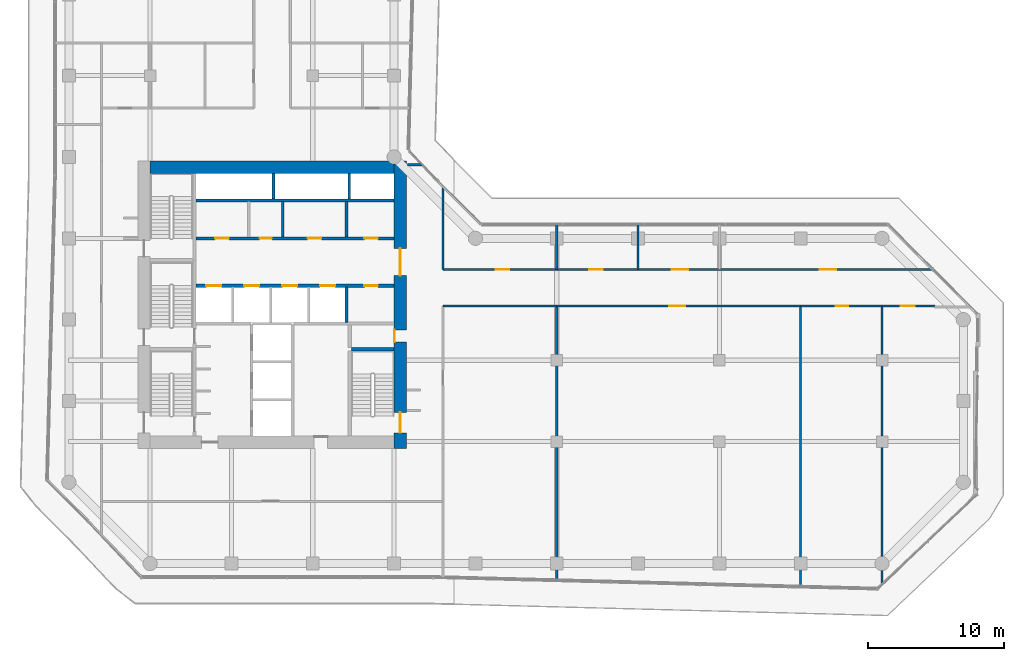
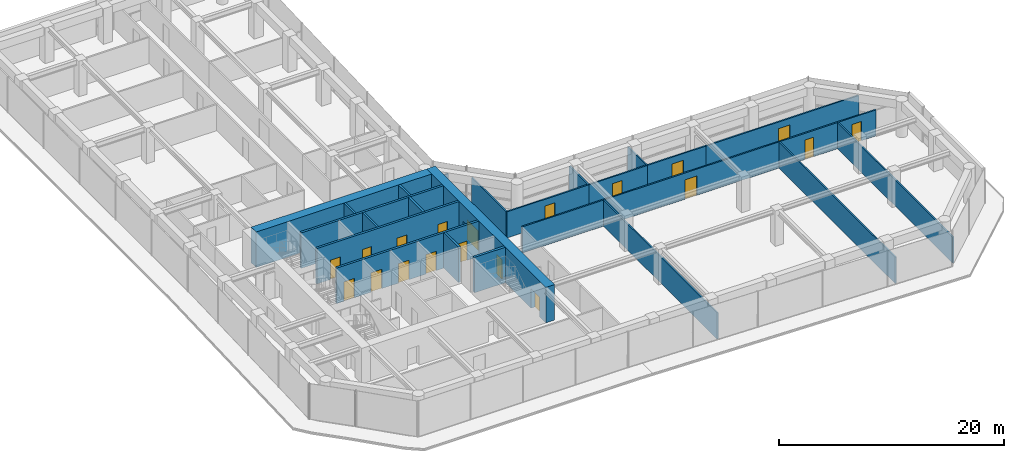
# One storey, part 24 of 28: 26 walls, 19 doors, 19 openings.
"""IFC4 building model written with IfcOpenShell, lengths in metres."""

from ifc_helpers import new_model, si_unit, direction, frame, frame_2d, origin, place, context, subcontext, project, spatial, rectangle, extrude, material, layer, layer_set, type_object, element, fill, save


model = new_model("IFC4")

# Units and contexts
model_context = context("Model", 3, precision=1e-05, world=origin(), true_north=direction((0.0, 1.0)))
body_context = subcontext(model_context, "Body", "Model", "MODEL_VIEW")
ifc_project = project(units=[si_unit("LENGTHUNIT", "METRE"), si_unit("AREAUNIT", "SQUARE_METRE"), si_unit("VOLUMEUNIT", "CUBIC_METRE"), si_unit("PLANEANGLEUNIT", "RADIAN"), si_unit("MASSUNIT", "GRAM", prefix="KILO")], contexts=[model_context])

# Site, building, storey
site_placement = place(None, origin())
site = spatial("IfcSite", under=ifc_project, at=site_placement, CompositionType="ELEMENT")
building_placement = place(site_placement, origin())
building = spatial("IfcBuilding", under=site, at=building_placement, Name="Welwitschia Terrace Campus", CompositionType="ELEMENT")
storey_placement = place(building_placement, frame((0.0, 0.0, 45.800048828125)))
storey = spatial("IfcBuildingStorey", under=building, at=storey_placement, Name="L10", CompositionType="ELEMENT", Elevation=45.800048828125)

# Wall
ifc_material_1 = material(Name="Concrete C32/40", Category="concrete")
ifc_layer_1 = layer(ifc_material_1, 0.175048828125)
ifc_layer_set_1 = layer_set([ifc_layer_1], Name="Concrete C32/40")
wall_type_1 = type_object("IfcWallType", Name="Core partition 175 Concrete C32/40", PredefinedType="PARTITIONING", material=ifc_layer_set_1)
wall_1_placement = place(storey_placement, frame((15.77490234375, 20.10009765625, 0.0), z_axis=(0.0, 0.0, 1.0), x_axis=(0.0, 1.0, 0.0)))
element("IfcWall", 1, at=wall_1_placement, inside=storey, type_object=wall_type_1, Name="Core partition", PredefinedType="PARTITIONING", context=body_context, shape_type="SweptSolid", body=[
    extrude(rectangle(XDim=2.599853515625, YDim=0.175048828125, at=frame_2d((1.2998046875, 0.0))), origin(), (0.0, 0.0, 1.0), 3.849853515625),
])

# Wall, openings, doors
ifc_material_2 = material(Name="Concrete C32/40", Category="concrete")
ifc_layer_2 = layer(ifc_material_2, 0.22509765625)
ifc_layer_set_2 = layer_set([ifc_layer_2], Name="Concrete C32/40")
wall_type_2 = type_object("IfcWallType", Name="Core partition 225 Concrete C32/40", PredefinedType="PARTITIONING", material=ifc_layer_set_2)
wall_2_placement = place(storey_placement, frame((9.39990234375, 16.5, 0.0), z_axis=(0.0, 0.0, 1.0), x_axis=(1.0, 0.0, 0.0)))
wall_2 = element("IfcWall", 2, at=wall_2_placement, inside=storey, type_object=wall_type_2, Name="Shaft wall", PredefinedType="PARTITIONING", context=body_context, shape_type="SweptSolid", body=[
    extrude(rectangle(XDim=14.60009765625, YDim=0.22509765625, at=frame_2d((7.300048828125, 0.0))), origin(), (0.0, 0.0, 1.0), 3.849853515625),
])
opening_1_placement = place(wall_2_placement, frame((0.75, 0.0, 0.0)))
opening_1 = element("IfcOpeningElement", 3, at=opening_1_placement, cuts=wall_2, Name="Opening LD", PredefinedType="OPENING", context=body_context, shape_type="SweptSolid", body=[
    extrude(rectangle(XDim=1.10009765625, YDim=2.10009765625, at=frame_2d((0.550048828125, 1.050048828125))), frame((0.0, 0.12255859375, 0.0), z_axis=(0.0, -1.0, 0.0), x_axis=(1.0, 0.0, 0.0)), (0.0, 0.0, 1.0), 0.2451171875),
])
opening_2_placement = place(wall_2_placement, frame((3.550048828125, 0.0, 0.0)))
opening_2 = element("IfcOpeningElement", 4, at=opening_2_placement, cuts=wall_2, Name="Opening LD", PredefinedType="OPENING", context=body_context, shape_type="SweptSolid", body=[
    extrude(rectangle(XDim=1.10009765625, YDim=2.10009765625, at=frame_2d((0.550048828125, 1.050048828125))), frame((0.0, 0.12255859375, 0.0), z_axis=(0.0, -1.0, 0.0), x_axis=(1.0, 0.0, 0.0)), (0.0, 0.0, 1.0), 0.2451171875),
])
opening_3_placement = place(wall_2_placement, frame((6.35009765625, 0.0, 0.0)))
opening_3 = element("IfcOpeningElement", 5, at=opening_3_placement, cuts=wall_2, Name="Opening LD", PredefinedType="OPENING", context=body_context, shape_type="SweptSolid", body=[
    extrude(rectangle(XDim=1.10009765625, YDim=2.10009765625, at=frame_2d((0.550048828125, 1.050048828125))), frame((0.0, 0.12255859375, 0.0), z_axis=(0.0, -1.0, 0.0), x_axis=(1.0, 0.0, 0.0)), (0.0, 0.0, 1.0), 0.2451171875),
])
opening_4_placement = place(wall_2_placement, frame((9.14990234375, 0.0, 0.0)))
opening_4 = element("IfcOpeningElement", 6, at=opening_4_placement, cuts=wall_2, Name="Opening LD", PredefinedType="OPENING", context=body_context, shape_type="SweptSolid", body=[
    extrude(rectangle(XDim=1.10009765625, YDim=2.10009765625, at=frame_2d((0.550048828125, 1.050048828125))), frame((0.0, 0.12255859375, 0.0), z_axis=(0.0, -1.0, 0.0), x_axis=(1.0, 0.0, 0.0)), (0.0, 0.0, 1.0), 0.2451171875),
])
opening_5_placement = place(wall_2_placement, frame((12.39990234375, 0.0, 0.0)))
opening_5 = element("IfcOpeningElement", 7, at=opening_5_placement, cuts=wall_2, Name="Opening DR10", PredefinedType="OPENING", context=body_context, shape_type="SweptSolid", body=[
    extrude(rectangle(XDim=1.0, YDim=2.10009765625, at=frame_2d((0.5, 1.050048828125))), frame((0.0, 0.12255859375, 0.0), z_axis=(0.0, -1.0, 0.0), x_axis=(1.0, 0.0, 0.0)), (0.0, 0.0, 1.0), 0.2451171875),
])
ifc_material_3 = material(Name="Steel S275", Category="steel")
door_type_1 = type_object("IfcDoorType", Name="Core door DR10", OperationType="SINGLE_SWING_LEFT", PredefinedType="DOOR", material=ifc_material_3)
door_1_placement = place(opening_5_placement, origin())
door_1 = element("IfcDoor", 8, at=door_1_placement, inside=storey, type_object=door_type_1, Name="Door EL-D", OperationType="SINGLE_SWING_RIGHT", OverallHeight=2.10009765625, OverallWidth=1.0, PredefinedType="DOOR", context=body_context, shape_type="SweptSolid", body=[
    extrude(rectangle(XDim=1.0, YDim=2.10009765625, at=frame_2d((0.5, 1.050048828125))), frame((0.0, 0.02490234375, 0.0), z_axis=(0.0, -1.0, 0.0), x_axis=(1.0, 0.0, 0.0)), (0.0, 0.0, 1.0), 0.050048828125),
])
fill(opening_5, door_1)
ifc_material_4 = material(Name="Stainless steel 304", Category="steel")
door_type_2 = type_object("IfcDoorType", Name="Lift landing door", OperationType="DOUBLE_DOOR_SLIDING", PredefinedType="DOOR", material=ifc_material_4)
door_2_placement = place(opening_1_placement, origin())
door_2 = element("IfcDoor", 9, at=door_2_placement, inside=storey, type_object=door_type_2, Name="Landing door LR1", OperationType="DOUBLE_DOOR_SLIDING", OverallHeight=2.10009765625, OverallWidth=1.10009765625, PredefinedType="DOOR", context=body_context, shape_type="SweptSolid", body=[
    extrude(rectangle(XDim=1.10009765625, YDim=2.10009765625, at=frame_2d((0.550048828125, 1.050048828125))), frame((0.0, 0.02490234375, 0.0), z_axis=(0.0, -1.0, 0.0), x_axis=(1.0, 0.0, 0.0)), (0.0, 0.0, 1.0), 0.050048828125),
])
fill(opening_1, door_2)
door_3_placement = place(opening_2_placement, origin())
door_3 = element("IfcDoor", 10, at=door_3_placement, inside=storey, type_object=door_type_2, Name="Landing door LR2", OperationType="DOUBLE_DOOR_SLIDING", OverallHeight=2.10009765625, OverallWidth=1.10009765625, PredefinedType="DOOR", context=body_context, shape_type="SweptSolid", body=[
    extrude(rectangle(XDim=1.10009765625, YDim=2.10009765625, at=frame_2d((0.550048828125, 1.050048828125))), frame((0.0, 0.02490234375, 0.0), z_axis=(0.0, -1.0, 0.0), x_axis=(1.0, 0.0, 0.0)), (0.0, 0.0, 1.0), 0.050048828125),
])
fill(opening_2, door_3)
door_4_placement = place(opening_3_placement, origin())
door_4 = element("IfcDoor", 11, at=door_4_placement, inside=storey, type_object=door_type_2, Name="Landing door LR3", OperationType="DOUBLE_DOOR_SLIDING", OverallHeight=2.10009765625, OverallWidth=1.10009765625, PredefinedType="DOOR", context=body_context, shape_type="SweptSolid", body=[
    extrude(rectangle(XDim=1.10009765625, YDim=2.10009765625, at=frame_2d((0.550048828125, 1.050048828125))), frame((0.0, 0.02490234375, 0.0), z_axis=(0.0, -1.0, 0.0), x_axis=(1.0, 0.0, 0.0)), (0.0, 0.0, 1.0), 0.050048828125),
])
fill(opening_3, door_4)
door_5_placement = place(opening_4_placement, origin())
door_5 = element("IfcDoor", 12, at=door_5_placement, inside=storey, type_object=door_type_2, Name="Landing door LR4", OperationType="DOUBLE_DOOR_SLIDING", OverallHeight=2.10009765625, OverallWidth=1.10009765625, PredefinedType="DOOR", context=body_context, shape_type="SweptSolid", body=[
    extrude(rectangle(XDim=1.10009765625, YDim=2.10009765625, at=frame_2d((0.550048828125, 1.050048828125))), frame((0.0, 0.02490234375, 0.0), z_axis=(0.0, -1.0, 0.0), x_axis=(1.0, 0.0, 0.0)), (0.0, 0.0, 1.0), 0.050048828125),
])
fill(opening_4, door_5)

wall_3_placement = place(storey_placement, frame((24.0, 20.0, 0.0), z_axis=(0.0, 0.0, 1.0), x_axis=(-1.0, 0.0, 0.0)))
wall_3 = element("IfcWall", 13, at=wall_3_placement, inside=storey, type_object=wall_type_2, Name="Core partition", PredefinedType="PARTITIONING", context=body_context, shape_type="SweptSolid", body=[
    extrude(rectangle(XDim=14.60009765625, YDim=0.22509765625, at=frame_2d((7.300048828125, 0.0))), origin(), (0.0, 0.0, 1.0), 3.849853515625),
])
opening_6_placement = place(wall_3_placement, frame((12.199951171875, 0.0, 0.0)))
opening_6 = element("IfcOpeningElement", 14, at=opening_6_placement, cuts=wall_3, Name="Opening DR10", PredefinedType="OPENING", context=body_context, shape_type="SweptSolid", body=[
    extrude(rectangle(XDim=1.0, YDim=2.10009765625, at=frame_2d((0.5, 1.050048828125))), frame((0.0, 0.12255859375, 0.0), z_axis=(0.0, -1.0, 0.0), x_axis=(1.0, 0.0, 0.0)), (0.0, 0.0, 1.0), 0.2451171875),
])
opening_7_placement = place(wall_3_placement, frame((9.02490234375, 0.0, 0.0)))
opening_7 = element("IfcOpeningElement", 15, at=opening_7_placement, cuts=wall_3, Name="Opening DR09", PredefinedType="OPENING", context=body_context, shape_type="SweptSolid", body=[
    extrude(rectangle(XDim=0.89990234375, YDim=2.10009765625, at=frame_2d((0.449951171875, 1.050048828125))), frame((0.0, 0.12255859375, 0.0), z_axis=(0.0, -1.0, 0.0), x_axis=(1.0, 0.0, 0.0)), (0.0, 0.0, 1.0), 0.2451171875),
])
opening_8_placement = place(wall_3_placement, frame((5.375, 0.0, 0.0)))
opening_8 = element("IfcOpeningElement", 16, at=opening_8_placement, cuts=wall_3, Name="Opening DR10", PredefinedType="OPENING", context=body_context, shape_type="SweptSolid", body=[
    extrude(rectangle(XDim=1.0, YDim=2.10009765625, at=frame_2d((0.5, 1.050048828125))), frame((0.0, 0.12255859375, 0.0), z_axis=(0.0, -1.0, 0.0), x_axis=(1.0, 0.0, 0.0)), (0.0, 0.0, 1.0), 0.2451171875),
])
opening_9_placement = place(wall_3_placement, frame((1.199951171875, 0.0, 0.0)))
opening_9 = element("IfcOpeningElement", 17, at=opening_9_placement, cuts=wall_3, Name="Opening DR10", PredefinedType="OPENING", context=body_context, shape_type="SweptSolid", body=[
    extrude(rectangle(XDim=1.0, YDim=2.10009765625, at=frame_2d((0.5, 1.050048828125))), frame((0.0, 0.12255859375, 0.0), z_axis=(0.0, -1.0, 0.0), x_axis=(1.0, 0.0, 0.0)), (0.0, 0.0, 1.0), 0.2451171875),
])
ifc_material_5 = material(Name="Steel S275", Category="steel")
door_type_3 = type_object("IfcDoorType", Name="Core door DR09", OperationType="SINGLE_SWING_LEFT", PredefinedType="DOOR", material=ifc_material_5)
door_6_placement = place(opening_7_placement, origin())
door_6 = element("IfcDoor", 18, at=door_6_placement, inside=storey, type_object=door_type_3, Name="Door BAYH2-D", OperationType="SINGLE_SWING_RIGHT", OverallHeight=2.10009765625, OverallWidth=0.89990234375, PredefinedType="DOOR", context=body_context, shape_type="SweptSolid", body=[
    extrude(rectangle(XDim=0.89990234375, YDim=2.10009765625, at=frame_2d((0.449951171875, 1.050048828125))), frame((0.0, 0.02490234375, 0.0), z_axis=(0.0, -1.0, 0.0), x_axis=(1.0, 0.0, 0.0)), (0.0, 0.0, 1.0), 0.050048828125),
])
fill(opening_7, door_6)
door_7_placement = place(opening_6_placement, origin())
door_7 = element("IfcDoor", 19, at=door_7_placement, inside=storey, type_object=door_type_1, Name="Door BAYH1-D", OperationType="SINGLE_SWING_RIGHT", OverallHeight=2.10009765625, OverallWidth=1.0, PredefinedType="DOOR", context=body_context, shape_type="SweptSolid", body=[
    extrude(rectangle(XDim=1.0, YDim=2.10009765625, at=frame_2d((0.5, 1.050048828125))), frame((0.0, 0.02490234375, 0.0), z_axis=(0.0, -1.0, 0.0), x_axis=(1.0, 0.0, 0.0)), (0.0, 0.0, 1.0), 0.050048828125),
])
fill(opening_6, door_7)
door_8_placement = place(opening_8_placement, origin())
door_8 = element("IfcDoor", 20, at=door_8_placement, inside=storey, type_object=door_type_1, Name="Door BAYH3-D", OperationType="SINGLE_SWING_LEFT", OverallHeight=2.10009765625, OverallWidth=1.0, PredefinedType="DOOR", context=body_context, shape_type="SweptSolid", body=[
    extrude(rectangle(XDim=1.0, YDim=2.10009765625, at=frame_2d((0.5, 1.050048828125))), frame((0.0, 0.02490234375, 0.0), z_axis=(0.0, -1.0, 0.0), x_axis=(1.0, 0.0, 0.0)), (0.0, 0.0, 1.0), 0.050048828125),
])
fill(opening_8, door_8)
door_9_placement = place(opening_9_placement, origin())
door_9 = element("IfcDoor", 21, at=door_9_placement, inside=storey, type_object=door_type_1, Name="Door EH-D", OperationType="SINGLE_SWING_LEFT", OverallHeight=2.10009765625, OverallWidth=1.0, PredefinedType="DOOR", context=body_context, shape_type="SweptSolid", body=[
    extrude(rectangle(XDim=1.0, YDim=2.10009765625, at=frame_2d((0.5, 1.050048828125))), frame((0.0, 0.02490234375, 0.0), z_axis=(0.0, -1.0, 0.0), x_axis=(1.0, 0.0, 0.0)), (0.0, 0.0, 1.0), 0.050048828125),
])
fill(opening_9, door_9)

# Walls
wall_4_placement = place(storey_placement, frame((9.39990234375, 22.800048828125, 0.0), z_axis=(0.0, 0.0, 1.0), x_axis=(1.0, 0.0, 0.0)))
element("IfcWall", 22, at=wall_4_placement, inside=storey, type_object=wall_type_2, Name="Shaft wall", PredefinedType="PARTITIONING", context=body_context, shape_type="SweptSolid", body=[
    extrude(rectangle(XDim=14.60009765625, YDim=0.22509765625, at=frame_2d((7.300048828125, 0.0))), origin(), (0.0, 0.0, 1.0), 3.849853515625),
])
for number, where, z_axis, x_axis, name in (
    (23, (20.5, 13.800048828125, 0.0), (0.0, 0.0, 1.0), (0.0, 1.0, 0.0), "Shaft wall"),
    (24, (20.5, 20.10009765625, 0.0), (0.0, 0.0, 1.0), (0.0, 1.0, 0.0), "Core partition"),
):
    element("IfcWall", number, at=place(storey_placement, frame(where, z_axis=z_axis, x_axis=x_axis)), inside=storey, type_object=wall_type_2, Name=name, PredefinedType="PARTITIONING", context=body_context, shape_type="SweptSolid", body=[
        extrude(rectangle(XDim=2.599853515625, YDim=0.22509765625, at=frame_2d((1.2998046875, 0.0))), origin(), (0.0, 0.0, 1.0), 3.849853515625),
    ])
ifc_material_6 = material(Name="Concrete C50/60", Category="concrete")
ifc_layer_3 = layer(ifc_material_6, 0.199951171875)
ifc_layer_set_3 = layer_set([ifc_layer_3], Name="Concrete C50/60")
wall_type_3 = type_object("IfcWallType", Name="Core wall 200 Concrete C50/60", PredefinedType="SHEAR", material=ifc_layer_set_3)
for number, where, z_axis, x_axis, name in (
    (25, (15.10009765625, 22.89990234375, 0.0), (0.0, 0.0, 1.0), (0.0, 1.0, 0.0), "Core wall"),
    (26, (20.699951171875, 22.89990234375, 0.0), (0.0, 0.0, 1.0), (0.0, 1.0, 0.0), "Core wall"),
):
    element("IfcWall", number, at=place(storey_placement, frame(where, z_axis=z_axis, x_axis=x_axis)), inside=storey, type_object=wall_type_3, Name=name, PredefinedType="SHEAR", context=body_context, shape_type="SweptSolid", body=[
        extrude(rectangle(XDim=1.900146484375, YDim=0.199951171875, at=frame_2d((0.9501953125, 0.0))), origin(), (0.0, 0.0, 1.0), 3.849853515625),
    ])
ifc_material_7 = material(Name="Concrete C50/60", Category="concrete")
ifc_layer_4 = layer(ifc_material_7, 0.25)
ifc_layer_set_4 = layer_set([ifc_layer_4], Name="Concrete C50/60")
wall_type_4 = type_object("IfcWallType", Name="Core wall 250 Concrete C50/60", PredefinedType="SHEAR", material=ifc_layer_set_4)
wall_5_placement = place(storey_placement, frame((20.85009765625, 11.824951171875, 0.0), z_axis=(0.0, 0.0, 1.0), x_axis=(1.0, 0.0, 0.0)))
element("IfcWall", 27, at=wall_5_placement, inside=storey, type_object=wall_type_4, Name="Core wall", PredefinedType="SHEAR", context=body_context, shape_type="SweptSolid", body=[
    extrude(rectangle(XDim=3.14990234375, YDim=0.25, at=frame_2d((1.574951171875, 0.0))), origin(), (0.0, 0.0, 1.0), 3.849853515625),
])

# Wall, openings, doors
ifc_material_8 = material(Name="Concrete C70/85", Category="concrete")
ifc_layer_5 = layer(ifc_material_8, 0.89990234375)
ifc_layer_set_5 = layer_set([ifc_layer_5], Name="Concrete C70/85")
wall_type_5 = type_object("IfcWallType", Name="Core wall 900 Concrete C70/85", PredefinedType="SHEAR", material=ifc_layer_set_5)
wall_6_placement = place(storey_placement, frame((24.449951171875, 25.699951171875, 0.0), z_axis=(0.0, 0.0, 1.0), x_axis=(0.0, -1.0, 0.0)))
wall_6 = element("IfcWall", 28, at=wall_6_placement, inside=storey, type_object=wall_type_5, Name="Core outer wall", PredefinedType="SHEAR", context=body_context, shape_type="SweptSolid", body=[
    extrude(rectangle(XDim=21.199951171875, YDim=0.89990234375, at=frame_2d((10.60009765625, 0.0))), origin(), (0.0, 0.0, 1.0), 3.849853515625),
])
opening_10_placement = place(wall_6_placement, frame((18.550048828125, 0.0, 0.0)))
opening_10 = element("IfcOpeningElement", 29, at=opening_10_placement, cuts=wall_6, Name="Opening DS15", PredefinedType="OPENING", context=body_context, shape_type="SweptSolid", body=[
    extrude(rectangle(XDim=1.5, YDim=2.10009765625, at=frame_2d((0.75, 1.050048828125))), frame((0.0, 0.4599609375, 0.0), z_axis=(0.0, -1.0, 0.0), x_axis=(1.0, 0.0, 0.0)), (0.0, 0.0, 1.0), 0.919921875),
])
opening_11_placement = place(wall_6_placement, frame((12.449951171875, 0.0, 0.0)))
opening_11 = element("IfcOpeningElement", 30, at=opening_11_placement, cuts=wall_6, Name="Opening DR09", PredefinedType="OPENING", context=body_context, shape_type="SweptSolid", body=[
    extrude(rectangle(XDim=0.89990234375, YDim=2.10009765625, at=frame_2d((0.449951171875, 1.050048828125))), frame((0.0, 0.4599609375, 0.0), z_axis=(0.0, -1.0, 0.0), x_axis=(1.0, 0.0, 0.0)), (0.0, 0.0, 1.0), 0.919921875),
])
opening_12_placement = place(wall_6_placement, frame((6.449951171875, 0.0, 0.0)))
opening_12 = element("IfcOpeningElement", 31, at=opening_12_placement, cuts=wall_6, Name="Opening DL20", PredefinedType="OPENING", context=body_context, shape_type="SweptSolid", body=[
    extrude(rectangle(XDim=2.0, YDim=2.10009765625, at=frame_2d((1.0, 1.050048828125))), frame((0.0, 0.4599609375, 0.0), z_axis=(0.0, -1.0, 0.0), x_axis=(1.0, 0.0, 0.0)), (0.0, 0.0, 1.0), 0.919921875),
])
ifc_material_9 = material(Name="Steel S275", Category="steel")
door_type_4 = type_object("IfcDoorType", Name="Core door DL20", OperationType="DOUBLE_DOOR_SINGLE_SWING", PredefinedType="DOOR", material=ifc_material_9)
door_10_placement = place(opening_12_placement, origin())
door_10 = element("IfcDoor", 32, at=door_10_placement, inside=storey, type_object=door_type_4, Name="Door LOBBY-out", OperationType="DOUBLE_DOOR_SINGLE_SWING", OverallHeight=2.10009765625, OverallWidth=2.0, PredefinedType="DOOR", context=body_context, shape_type="SweptSolid", body=[
    extrude(rectangle(XDim=2.0, YDim=2.10009765625, at=frame_2d((1.0, 1.050048828125))), frame((0.0, 0.02490234375, 0.0), z_axis=(0.0, -1.0, 0.0), x_axis=(1.0, 0.0, 0.0)), (0.0, 0.0, 1.0), 0.050048828125),
])
fill(opening_12, door_10)
door_11_placement = place(opening_11_placement, origin())
door_11 = element("IfcDoor", 33, at=door_11_placement, inside=storey, type_object=door_type_3, Name="Door F1B-out", OperationType="SINGLE_SWING_RIGHT", OverallHeight=2.10009765625, OverallWidth=0.89990234375, PredefinedType="DOOR", context=body_context, shape_type="SweptSolid", body=[
    extrude(rectangle(XDim=0.89990234375, YDim=2.10009765625, at=frame_2d((0.449951171875, 1.050048828125))), frame((0.0, -0.39013671875, 0.0), z_axis=(0.0, -1.0, 0.0), x_axis=(1.0, 0.0, 0.0)), (0.0, 0.0, 1.0), 0.050048828125),
])
fill(opening_11, door_11)
ifc_material_10 = material(Name="Steel S275", Category="steel")
door_type_5 = type_object("IfcDoorType", Name="Core door DS15", OperationType="DOUBLE_DOOR_SINGLE_SWING", PredefinedType="DOOR", material=ifc_material_10)
door_12_placement = place(opening_10_placement, origin())
door_12 = element("IfcDoor", 34, at=door_12_placement, inside=storey, type_object=door_type_5, Name="Door S2-out", OperationType="DOUBLE_DOOR_SINGLE_SWING", OverallHeight=2.10009765625, OverallWidth=1.5, PredefinedType="DOOR", context=body_context, shape_type="SweptSolid", body=[
    extrude(rectangle(XDim=1.5, YDim=2.10009765625, at=frame_2d((0.75, 1.050048828125))), frame((0.0, 0.02490234375, 0.0), z_axis=(0.0, -1.0, 0.0), x_axis=(1.0, 0.0, 0.0)), (0.0, 0.0, 1.0), 0.050048828125),
])
fill(opening_10, door_12)

# Walls
wall_7_placement = place(storey_placement, frame((6.0, 25.25, 0.0), z_axis=(0.0, 0.0, 1.0), x_axis=(1.0, 0.0, 0.0)))
element("IfcWall", 35, at=wall_7_placement, inside=storey, type_object=wall_type_5, Name="Core outer wall", PredefinedType="SHEAR", context=body_context, shape_type="SweptSolid", body=[
    extrude(rectangle(XDim=18.0, YDim=0.89990234375, at=frame_2d((9.0, 0.0))), origin(), (0.0, 0.0, 1.0), 3.849853515625),
])
ifc_material_11 = material(Name="Gypsum board on steel studs", Category="steel")
ifc_layer_6 = layer(ifc_material_11, 0.14990234375)
ifc_layer_set_6 = layer_set([ifc_layer_6], Name="Gypsum board on steel studs")
wall_type_6 = type_object("IfcWallType", Name="Corridor partition 150 EI 30", PredefinedType="PARTITIONING", material=ifc_layer_set_6)
wall_8_placement = place(storey_placement, frame((25.0, 25.429931640625, 0.0), z_axis=(0.0, 0.0, 1.0), x_axis=(1.0, 0.0, 0.0)))
element("IfcWall", 36, at=wall_8_placement, inside=storey, type_object=wall_type_6, Name="Partition", PredefinedType="PARTITIONING", context=body_context, shape_type="SweptSolid", body=[
    extrude(rectangle(XDim=1.06005859375, YDim=0.14990234375, at=frame_2d((0.530029296875, 0.0))), origin(), (0.0, 0.0, 1.0), 2.829833984375),
])
wall_9_placement = place(storey_placement, frame((27.60009765625, 15.0, 0.0), z_axis=(0.0, 0.0, 1.0), x_axis=(1.0, 0.0, 0.0)))
element("IfcWall", 37, at=wall_9_placement, inside=storey, type_object=wall_type_6, Name="Partition", PredefinedType="PARTITIONING", context=body_context, shape_type="SweptSolid", body=[
    extrude(rectangle(XDim=8.39990234375, YDim=0.14990234375, at=frame_2d((4.199951171875, 0.0))), origin(), (0.0, 0.0, 1.0), 2.829833984375),
])
wall_10_placement = place(storey_placement, frame((27.60009765625, 17.699951171875, 0.0), z_axis=(0.0, 0.0, 1.0), x_axis=(0.0, 1.0, 0.0)))
element("IfcWall", 38, at=wall_10_placement, inside=storey, type_object=wall_type_6, Name="Partition", PredefinedType="PARTITIONING", context=body_context, shape_type="SweptSolid", body=[
    extrude(rectangle(XDim=6.1201171875, YDim=0.14990234375, at=frame_2d((3.06005859375, 0.0))), origin(), (0.0, 0.0, 1.0), 2.829833984375),
])

# Wall, opening, door
wall_11_placement = place(storey_placement, frame((27.60009765625, 17.699951171875, 0.0), z_axis=(0.0, 0.0, 1.0), x_axis=(1.0, 0.0, 0.0)))
wall_11 = element("IfcWall", 39, at=wall_11_placement, inside=storey, type_object=wall_type_6, Name="Partition", PredefinedType="PARTITIONING", context=body_context, shape_type="SweptSolid", body=[
    extrude(rectangle(XDim=8.39990234375, YDim=0.14990234375, at=frame_2d((4.199951171875, 0.0))), origin(), (0.0, 0.0, 1.0), 2.829833984375),
])
opening_13_placement = place(wall_11_placement, frame((3.89990234375, 0.0, 0.0)))
opening_13 = element("IfcOpeningElement", 40, at=opening_13_placement, cuts=wall_11, Name="Opening DI10", PredefinedType="OPENING", context=body_context, shape_type="SweptSolid", body=[
    extrude(rectangle(XDim=1.0, YDim=2.10009765625, at=frame_2d((0.5, 1.050048828125))), frame((0.0, 0.0849609375, 0.0), z_axis=(0.0, -1.0, 0.0), x_axis=(1.0, 0.0, 0.0)), (0.0, 0.0, 1.0), 0.169921875),
])
ifc_material_12 = material(Name="Timber veneered door", Category="wood")
door_type_6 = type_object("IfcDoorType", Name="Interior door DI10", OperationType="NOTDEFINED", PredefinedType="DOOR", material=ifc_material_12)
door_13_placement = place(opening_13_placement, origin())
door_13 = element("IfcDoor", 41, at=door_13_placement, inside=storey, type_object=door_type_6, Name="Door L10 241", OperationType="SINGLE_SWING_RIGHT", OverallHeight=2.10009765625, OverallWidth=1.0, PredefinedType="DOOR", context=body_context, shape_type="SweptSolid", body=[
    extrude(rectangle(XDim=1.0, YDim=2.10009765625, at=frame_2d((0.5, 1.050048828125))), frame((0.0, 0.02490234375, 0.0), z_axis=(0.0, -1.0, 0.0), x_axis=(1.0, 0.0, 0.0)), (0.0, 0.0, 1.0), 0.050048828125),
])
fill(opening_13, door_13)

# Walls
wall_12_placement = place(storey_placement, frame((36.0, -5.25, 0.0), z_axis=(0.0, 0.0, 1.0), x_axis=(0.0, 1.0, 0.0)))
element("IfcWall", 42, at=wall_12_placement, inside=storey, type_object=wall_type_6, Name="Partition", PredefinedType="PARTITIONING", context=body_context, shape_type="SweptSolid", body=[
    extrude(rectangle(XDim=20.25, YDim=0.14990234375, at=frame_2d((10.125, 0.0))), origin(), (0.0, 0.0, 1.0), 2.829833984375),
])
wall_13_placement = place(storey_placement, frame((36.0, 17.699951171875, 0.0), z_axis=(0.0, 0.0, 1.0), x_axis=(0.0, 1.0, 0.0)))
element("IfcWall", 43, at=wall_13_placement, inside=storey, type_object=wall_type_6, Name="Partition", PredefinedType="PARTITIONING", context=body_context, shape_type="SweptSolid", body=[
    extrude(rectangle(XDim=3.31005859375, YDim=0.14990234375, at=frame_2d((1.655029296875, 0.0))), origin(), (0.0, 0.0, 1.0), 2.829833984375),
])

# Wall, opening, door
wall_14_placement = place(storey_placement, frame((36.0, 17.699951171875, 0.0), z_axis=(0.0, 0.0, 1.0), x_axis=(1.0, 0.0, 0.0)))
wall_14 = element("IfcWall", 44, at=wall_14_placement, inside=storey, type_object=wall_type_6, Name="Partition", PredefinedType="PARTITIONING", context=body_context, shape_type="SweptSolid", body=[
    extrude(rectangle(XDim=6.0, YDim=0.14990234375, at=frame_2d((3.0, 0.0))), origin(), (0.0, 0.0, 1.0), 2.829833984375),
])
opening_14_placement = place(wall_14_placement, frame((2.39990234375, 0.0, 0.0)))
opening_14 = element("IfcOpeningElement", 45, at=opening_14_placement, cuts=wall_14, Name="Opening DI10", PredefinedType="OPENING", context=body_context, shape_type="SweptSolid", body=[
    extrude(rectangle(XDim=1.0, YDim=2.10009765625, at=frame_2d((0.5, 1.050048828125))), frame((0.0, 0.0849609375, 0.0), z_axis=(0.0, -1.0, 0.0), x_axis=(1.0, 0.0, 0.0)), (0.0, 0.0, 1.0), 0.169921875),
])
door_14_placement = place(opening_14_placement, origin())
door_14 = element("IfcDoor", 46, at=door_14_placement, inside=storey, type_object=door_type_6, Name="Door L10 242", OperationType="SINGLE_SWING_LEFT", OverallHeight=2.10009765625, OverallWidth=1.0, PredefinedType="DOOR", context=body_context, shape_type="SweptSolid", body=[
    extrude(rectangle(XDim=1.0, YDim=2.10009765625, at=frame_2d((0.5, 1.050048828125))), frame((0.0, 0.02490234375, 0.0), z_axis=(0.0, -1.0, 0.0), x_axis=(1.0, 0.0, 0.0)), (0.0, 0.0, 1.0), 0.050048828125),
])
fill(opening_14, door_14)

# Wall
wall_15_placement = place(storey_placement, frame((42.0, 17.699951171875, 0.0), z_axis=(0.0, 0.0, 1.0), x_axis=(0.0, 1.0, 0.0)))
element("IfcWall", 47, at=wall_15_placement, inside=storey, type_object=wall_type_6, Name="Partition", PredefinedType="PARTITIONING", context=body_context, shape_type="SweptSolid", body=[
    extrude(rectangle(XDim=3.31005859375, YDim=0.14990234375, at=frame_2d((1.655029296875, 0.0))), origin(), (0.0, 0.0, 1.0), 2.829833984375),
])

# Wall, opening, door
wall_16_placement = place(storey_placement, frame((42.0, 17.699951171875, 0.0), z_axis=(0.0, 0.0, 1.0), x_axis=(1.0, 0.0, 0.0)))
wall_16 = element("IfcWall", 48, at=wall_16_placement, inside=storey, type_object=wall_type_6, Name="Partition", PredefinedType="PARTITIONING", context=body_context, shape_type="SweptSolid", body=[
    extrude(rectangle(XDim=6.0, YDim=0.14990234375, at=frame_2d((3.0, 0.0))), origin(), (0.0, 0.0, 1.0), 2.829833984375),
])
opening_15_placement = place(wall_16_placement, frame((2.5, 0.0, 0.0)))
opening_15 = element("IfcOpeningElement", 49, at=opening_15_placement, cuts=wall_16, Name="Opening DI12", PredefinedType="OPENING", context=body_context, shape_type="SweptSolid", body=[
    extrude(rectangle(XDim=1.199951171875, YDim=2.10009765625, at=frame_2d((0.60009765625, 1.050048828125))), frame((0.0, 0.0849609375, 0.0), z_axis=(0.0, -1.0, 0.0), x_axis=(1.0, 0.0, 0.0)), (0.0, 0.0, 1.0), 0.169921875),
])
ifc_material_13 = material(Name="Timber veneered door", Category="wood")
door_type_7 = type_object("IfcDoorType", Name="Interior door DI12", OperationType="NOTDEFINED", PredefinedType="DOOR", material=ifc_material_13)
door_15_placement = place(opening_15_placement, origin())
door_15 = element("IfcDoor", 50, at=door_15_placement, inside=storey, type_object=door_type_7, Name="Door L10 243", OperationType="SINGLE_SWING_RIGHT", OverallHeight=2.10009765625, OverallWidth=1.199951171875, PredefinedType="DOOR", context=body_context, shape_type="SweptSolid", body=[
    extrude(rectangle(XDim=1.199951171875, YDim=2.10009765625, at=frame_2d((0.60009765625, 1.050048828125))), frame((0.0, 0.02490234375, 0.0), z_axis=(0.0, -1.0, 0.0), x_axis=(1.0, 0.0, 0.0)), (0.0, 0.0, 1.0), 0.050048828125),
])
fill(opening_15, door_15)

wall_17_placement = place(storey_placement, frame((48.0, 17.699951171875, 0.0), z_axis=(0.0, 0.0, 1.0), x_axis=(1.0, 0.0, 0.0)))
wall_17 = element("IfcWall", 51, at=wall_17_placement, inside=storey, type_object=wall_type_6, Name="Partition", PredefinedType="PARTITIONING", context=body_context, shape_type="SweptSolid", body=[
    extrude(rectangle(XDim=15.68310546875, YDim=0.14990234375, at=frame_2d((7.841552734375, 0.0))), origin(), (0.0, 0.0, 1.0), 2.829833984375),
])
opening_16_placement = place(wall_17_placement, frame((7.419921875, 0.0, 0.0)))
opening_16 = element("IfcOpeningElement", 52, at=opening_16_placement, cuts=wall_17, Name="Opening DI12", PredefinedType="OPENING", context=body_context, shape_type="SweptSolid", body=[
    extrude(rectangle(XDim=1.199951171875, YDim=2.10009765625, at=frame_2d((0.60009765625, 1.050048828125))), frame((0.0, 0.0849609375, 0.0), z_axis=(0.0, -1.0, 0.0), x_axis=(1.0, 0.0, 0.0)), (0.0, 0.0, 1.0), 0.169921875),
])
door_16_placement = place(opening_16_placement, origin())
door_16 = element("IfcDoor", 53, at=door_16_placement, inside=storey, type_object=door_type_7, Name="Door L10 244", OperationType="SINGLE_SWING_LEFT", OverallHeight=2.10009765625, OverallWidth=1.199951171875, PredefinedType="DOOR", context=body_context, shape_type="SweptSolid", body=[
    extrude(rectangle(XDim=1.199951171875, YDim=2.10009765625, at=frame_2d((0.60009765625, 1.050048828125))), frame((0.0, 0.02490234375, 0.0), z_axis=(0.0, -1.0, 0.0), x_axis=(1.0, 0.0, 0.0)), (0.0, 0.0, 1.0), 0.050048828125),
])
fill(opening_16, door_16)

# Wall
wall_18_placement = place(storey_placement, frame((54.0, -5.719970703125, 0.0), z_axis=(0.0, 0.0, 1.0), x_axis=(0.0, 1.0, 0.0)))
element("IfcWall", 54, at=wall_18_placement, inside=storey, type_object=wall_type_6, Name="Partition", PredefinedType="PARTITIONING", context=body_context, shape_type="SweptSolid", body=[
    extrude(rectangle(XDim=20.719970703125, YDim=0.14990234375, at=frame_2d((10.35986328125, 0.0))), origin(), (0.0, 0.0, 1.0), 2.829833984375),
])

# Wall, opening, door
wall_19_placement = place(storey_placement, frame((54.0, 15.0, 0.0), z_axis=(0.0, 0.0, 1.0), x_axis=(-1.0, 0.0, 0.0)))
wall_19 = element("IfcWall", 55, at=wall_19_placement, inside=storey, type_object=wall_type_6, Name="Partition", PredefinedType="PARTITIONING", context=body_context, shape_type="SweptSolid", body=[
    extrude(rectangle(XDim=18.0, YDim=0.14990234375, at=frame_2d((9.0, 0.0))), origin(), (0.0, 0.0, 1.0), 2.829833984375),
])
opening_17_placement = place(wall_19_placement, frame((8.5, 0.0, 0.0)))
opening_17 = element("IfcOpeningElement", 56, at=opening_17_placement, cuts=wall_19, Name="Opening DI12", PredefinedType="OPENING", context=body_context, shape_type="SweptSolid", body=[
    extrude(rectangle(XDim=1.199951171875, YDim=2.10009765625, at=frame_2d((0.60009765625, 1.050048828125))), frame((0.0, 0.0849609375, 0.0), z_axis=(0.0, -1.0, 0.0), x_axis=(1.0, 0.0, 0.0)), (0.0, 0.0, 1.0), 0.169921875),
])
door_17_placement = place(opening_17_placement, origin())
door_17 = element("IfcDoor", 57, at=door_17_placement, inside=storey, type_object=door_type_7, Name="Door L10 245", OperationType="SINGLE_SWING_RIGHT", OverallHeight=2.10009765625, OverallWidth=1.199951171875, PredefinedType="DOOR", context=body_context, shape_type="SweptSolid", body=[
    extrude(rectangle(XDim=1.199951171875, YDim=2.10009765625, at=frame_2d((0.60009765625, 1.050048828125))), frame((0.0, 0.02490234375, 0.0), z_axis=(0.0, -1.0, 0.0), x_axis=(1.0, 0.0, 0.0)), (0.0, 0.0, 1.0), 0.050048828125),
])
fill(opening_17, door_17)

# Wall
wall_20_placement = place(storey_placement, frame((60.0, -5.52001953125, 0.0), z_axis=(0.0, 0.0, 1.0), x_axis=(0.0, 1.0, 0.0)))
element("IfcWall", 58, at=wall_20_placement, inside=storey, type_object=wall_type_6, Name="Partition", PredefinedType="PARTITIONING", context=body_context, shape_type="SweptSolid", body=[
    extrude(rectangle(XDim=20.52001953125, YDim=0.14990234375, at=frame_2d((10.260009765625, 0.0))), origin(), (0.0, 0.0, 1.0), 2.829833984375),
])

# Wall, opening, door
wall_21_placement = place(storey_placement, frame((60.0, 15.0, 0.0), z_axis=(0.0, 0.0, 1.0), x_axis=(-1.0, 0.0, 0.0)))
wall_21 = element("IfcWall", 59, at=wall_21_placement, inside=storey, type_object=wall_type_6, Name="Partition", PredefinedType="PARTITIONING", context=body_context, shape_type="SweptSolid", body=[
    extrude(rectangle(XDim=6.0, YDim=0.14990234375, at=frame_2d((3.0, 0.0))), origin(), (0.0, 0.0, 1.0), 2.829833984375),
])
opening_18_placement = place(wall_21_placement, frame((2.5, 0.0, 0.0)))
opening_18 = element("IfcOpeningElement", 60, at=opening_18_placement, cuts=wall_21, Name="Opening DI09", PredefinedType="OPENING", context=body_context, shape_type="SweptSolid", body=[
    extrude(rectangle(XDim=0.89990234375, YDim=2.10009765625, at=frame_2d((0.449951171875, 1.050048828125))), frame((0.0, 0.0849609375, 0.0), z_axis=(0.0, -1.0, 0.0), x_axis=(1.0, 0.0, 0.0)), (0.0, 0.0, 1.0), 0.169921875),
])
ifc_material_14 = material(Name="Timber veneered door", Category="wood")
door_type_8 = type_object("IfcDoorType", Name="Interior door DI09", OperationType="NOTDEFINED", PredefinedType="DOOR", material=ifc_material_14)
door_18_placement = place(opening_18_placement, origin())
door_18 = element("IfcDoor", 61, at=door_18_placement, inside=storey, type_object=door_type_8, Name="Door L10 246", OperationType="SINGLE_SWING_LEFT", OverallHeight=2.10009765625, OverallWidth=0.89990234375, PredefinedType="DOOR", context=body_context, shape_type="SweptSolid", body=[
    extrude(rectangle(XDim=0.89990234375, YDim=2.10009765625, at=frame_2d((0.449951171875, 1.050048828125))), frame((0.0, 0.02490234375, 0.0), z_axis=(0.0, -1.0, 0.0), x_axis=(1.0, 0.0, 0.0)), (0.0, 0.0, 1.0), 0.050048828125),
])
fill(opening_18, door_18)

wall_22_placement = place(storey_placement, frame((63.89990234375, 15.0, 0.0), z_axis=(0.0, 0.0, 1.0), x_axis=(-1.0, 0.0, 0.0)))
wall_22 = element("IfcWall", 62, at=wall_22_placement, inside=storey, type_object=wall_type_6, Name="Partition", PredefinedType="PARTITIONING", context=body_context, shape_type="SweptSolid", body=[
    extrude(rectangle(XDim=3.89990234375, YDim=0.14990234375, at=frame_2d((1.949951171875, 0.0))), origin(), (0.0, 0.0, 1.0), 2.829833984375),
])
opening_19_placement = place(wall_22_placement, frame((1.5, 0.0, 0.0)))
opening_19 = element("IfcOpeningElement", 63, at=opening_19_placement, cuts=wall_22, Name="Opening DI10", PredefinedType="OPENING", context=body_context, shape_type="SweptSolid", body=[
    extrude(rectangle(XDim=1.0, YDim=2.10009765625, at=frame_2d((0.5, 1.050048828125))), frame((0.0, 0.0849609375, 0.0), z_axis=(0.0, -1.0, 0.0), x_axis=(1.0, 0.0, 0.0)), (0.0, 0.0, 1.0), 0.169921875),
])
door_19_placement = place(opening_19_placement, origin())
door_19 = element("IfcDoor", 64, at=door_19_placement, inside=storey, type_object=door_type_6, Name="Door L10 247", OperationType="SINGLE_SWING_RIGHT", OverallHeight=2.10009765625, OverallWidth=1.0, PredefinedType="DOOR", context=body_context, shape_type="SweptSolid", body=[
    extrude(rectangle(XDim=1.0, YDim=2.10009765625, at=frame_2d((0.5, 1.050048828125))), frame((0.0, 0.02490234375, 0.0), z_axis=(0.0, -1.0, 0.0), x_axis=(1.0, 0.0, 0.0)), (0.0, 0.0, 1.0), 0.050048828125),
])
fill(opening_19, door_19)

save(model, "model.ifc")
